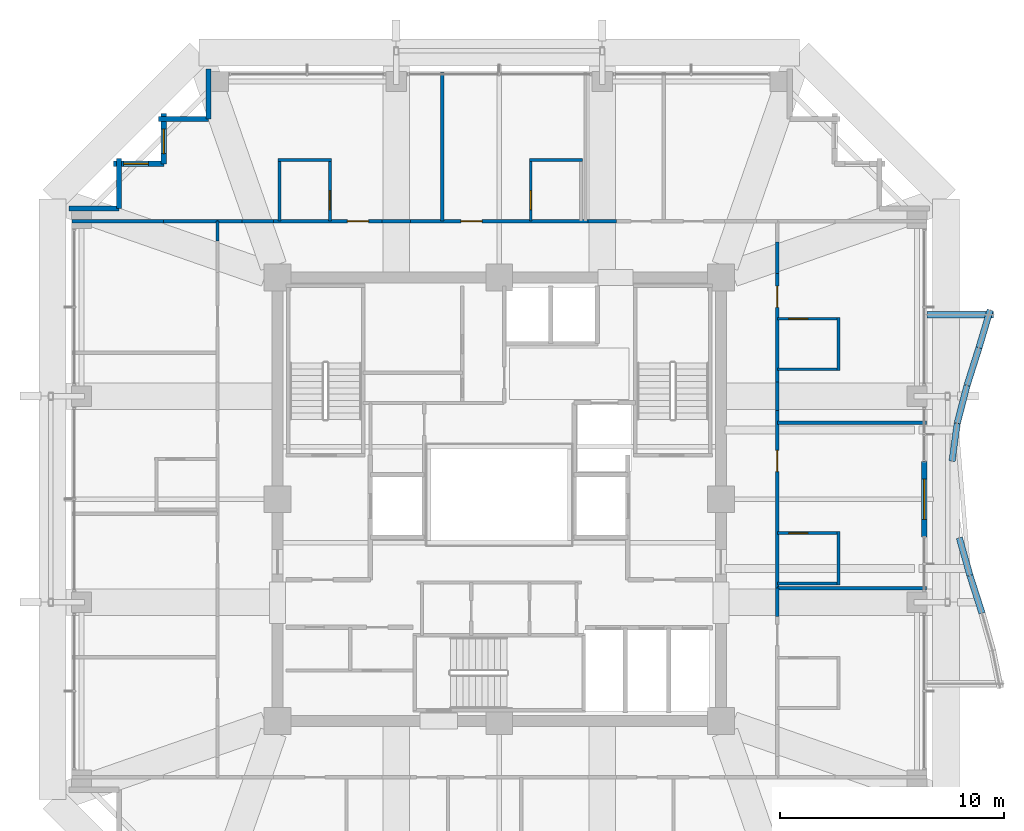
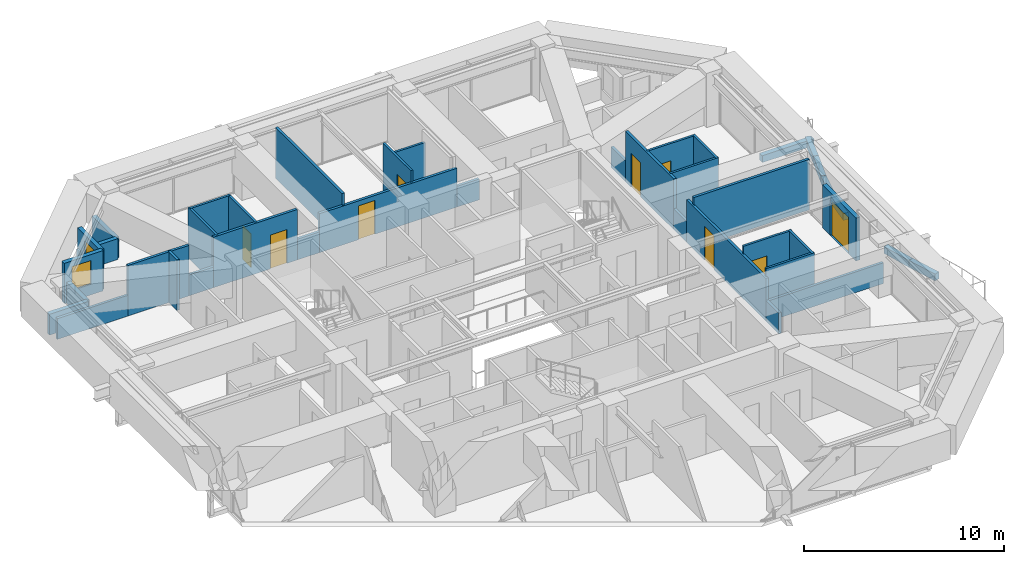
# One storey, part 37 of 40: 42 walls, 9 doors, 2 windows, 11 openings.
"""IFC4 building model written with IfcOpenShell, lengths in metres."""

from ifc_helpers import new_model, si_unit, direction, frame, frame_2d, origin, place, context, subcontext, project, spatial, rectangle, extrude, material, layer, layer_set, type_object, element, fill, save


model = new_model("IFC4")

# Units and contexts
model_context = context("Model", 3, precision=1e-05, world=origin(), true_north=direction((0.0, 1.0)))
body_context = subcontext(model_context, "Body", "Model", "MODEL_VIEW")
ifc_project = project(units=[si_unit("LENGTHUNIT", "METRE"), si_unit("AREAUNIT", "SQUARE_METRE"), si_unit("VOLUMEUNIT", "CUBIC_METRE"), si_unit("PLANEANGLEUNIT", "RADIAN"), si_unit("MASSUNIT", "GRAM", prefix="KILO")], contexts=[model_context])

# Site, building, storey
site_placement = place(None, origin())
site = spatial("IfcSite", under=ifc_project, at=site_placement, CompositionType="ELEMENT")
building_placement = place(site_placement, origin())
building = spatial("IfcBuilding", under=site, at=building_placement, Name="Kolvaren Belvedere", CompositionType="ELEMENT")
storey_placement = place(building_placement, frame((0.0, 0.0, 170.10009765625)))
storey = spatial("IfcBuildingStorey", under=building, at=storey_placement, Name="L49", CompositionType="ELEMENT", Elevation=170.10009765625)

# Walls
ifc_material_1 = material(Name="Gypsum fire-rated partition assembly", Category="gypsum")
ifc_layer_1 = layer(ifc_material_1, 0.14990234375)
ifc_layer_set_1 = layer_set([ifc_layer_1], Name="Gypsum fire-rated partition assembly")
wall_type_1 = type_object("IfcWallType", Name="WL-CORR-150", PredefinedType="PARTITIONING", material=ifc_layer_set_1)
wall_1_placement = place(storey_placement, frame((-12.580078125, 12.419921875, 0.0), z_axis=(0.0, 0.0, 1.0), x_axis=(1.0, 0.0, 0.0)))
element("IfcWall", 1, at=wall_1_placement, inside=storey, type_object=wall_type_1, Name="L49 North Corridor Wall", PredefinedType="PARTITIONING", context=body_context, shape_type="SweptSolid", body=[
    extrude(rectangle(XDim=1.093994140625, YDim=0.14990234375, at=frame_2d((0.546875, 0.0))), origin(), (0.0, 0.0, 1.0), 3.079833984375),
])
wall_2_placement = place(storey_placement, frame((-11.486083984375, 12.419921875, 0.0), z_axis=(0.0, 0.0, 1.0), x_axis=(1.0, 0.0, 0.0)))
element("IfcWall", 2, at=wall_2_placement, inside=storey, type_object=wall_type_1, Name="L49 North Corridor Wall", PredefinedType="PARTITIONING", context=body_context, shape_type="SweptSolid", body=[
    extrude(rectangle(XDim=1.416748046875, YDim=0.14990234375, at=frame_2d((0.70849609375, 0.0))), origin(), (0.0, 0.0, 1.0), 1.264892578125),
])

# Wall, opening, door
wall_3_placement = place(storey_placement, frame((-10.0693359375, 12.419921875, 0.0), z_axis=(0.0, 0.0, 1.0), x_axis=(1.0, 0.0, 0.0)))
wall_3 = element("IfcWall", 3, at=wall_3_placement, inside=storey, type_object=wall_type_1, Name="L49 North Corridor Wall", PredefinedType="PARTITIONING", context=body_context, shape_type="SweptSolid", body=[
    extrude(rectangle(XDim=4.827392578125, YDim=0.14990234375, at=frame_2d((2.41357421875, 0.0))), origin(), (0.0, 0.0, 1.0), 3.079833984375),
])
opening_1_placement = place(wall_3_placement, frame((3.289306640625, 0.0, 0.0)))
opening_1 = element("IfcOpeningElement", 4, at=opening_1_placement, cuts=wall_3, Name="Opening D-FD60", PredefinedType="OPENING", context=body_context, shape_type="SweptSolid", body=[
    extrude(rectangle(XDim=0.949951171875, YDim=2.06005859375, at=frame_2d((0.47509765625, 1.030029296875))), frame((0.0, 0.0849609375, 0.0), z_axis=(0.0, -1.0, 0.0), x_axis=(1.0, 0.0, 0.0)), (0.0, 0.0, 1.0), 0.169921875),
])
ifc_material_2 = material(Name="Acoustic white-oak fire door leaf", Category="timber")
door_type_1 = type_object("IfcDoorType", Name="DR-FD60-950", OperationType="NOTDEFINED", PredefinedType="DOOR", material=ifc_material_2)
door_1_placement = place(opening_1_placement, origin())
door_1 = element("IfcDoor", 5, at=door_1_placement, inside=storey, type_object=door_type_1, Name="L49 King Guest Room 4911 Entry Door", OperationType="SINGLE_SWING_RIGHT", OverallHeight=2.06005859375, OverallWidth=0.949951171875, PredefinedType="DOOR", context=body_context, shape_type="SweptSolid", body=[
    extrude(rectangle(XDim=0.949951171875, YDim=2.06005859375, at=frame_2d((0.47509765625, 1.030029296875))), frame((0.0, 0.02490234375, 0.0), z_axis=(0.0, -1.0, 0.0), x_axis=(1.0, 0.0, 0.0)), (0.0, 0.0, 1.0), 0.050048828125),
])
fill(opening_1, door_1)

# Wall
wall_4_placement = place(storey_placement, frame((-5.241943359375, 12.419921875, 0.0), z_axis=(0.0, 0.0, 1.0), x_axis=(1.0, 0.0, 0.0)))
element("IfcWall", 6, at=wall_4_placement, inside=storey, type_object=wall_type_1, Name="L49 North Corridor Wall", PredefinedType="PARTITIONING", context=body_context, shape_type="SweptSolid", body=[
    extrude(rectangle(XDim=1.283935546875, YDim=0.14990234375, at=frame_2d((0.64208984375, 0.0))), origin(), (0.0, 0.0, 1.0), 1.264892578125),
])

# Wall, opening, door
wall_5_placement = place(storey_placement, frame((-3.9580078125, 12.419921875, 0.0), z_axis=(0.0, 0.0, 1.0), x_axis=(1.0, 0.0, 0.0)))
wall_5 = element("IfcWall", 7, at=wall_5_placement, inside=storey, type_object=wall_type_1, Name="L49 North Corridor Wall", PredefinedType="PARTITIONING", context=body_context, shape_type="SweptSolid", body=[
    extrude(rectangle(XDim=7.916015625, YDim=0.14990234375, at=frame_2d((3.9580078125, 0.0))), origin(), (0.0, 0.0, 1.0), 2.368896484375),
])
opening_2_placement = place(wall_5_placement, frame((2.2412109375, 0.0, 0.0)))
opening_2 = element("IfcOpeningElement", 8, at=opening_2_placement, cuts=wall_5, Name="Opening D-FD60", PredefinedType="OPENING", context=body_context, shape_type="SweptSolid", body=[
    extrude(rectangle(XDim=0.949951171875, YDim=2.06005859375, at=frame_2d((0.47509765625, 1.030029296875))), frame((0.0, 0.0849609375, 0.0), z_axis=(0.0, -1.0, 0.0), x_axis=(1.0, 0.0, 0.0)), (0.0, 0.0, 1.0), 0.169921875),
])
door_2_placement = place(opening_2_placement, origin())
door_2 = element("IfcDoor", 9, at=door_2_placement, inside=storey, type_object=door_type_1, Name="L49 Botanical Hospitality Suite 4912 Entry Door", OperationType="SINGLE_SWING_RIGHT", OverallHeight=2.06005859375, OverallWidth=0.949951171875, PredefinedType="DOOR", context=body_context, shape_type="SweptSolid", body=[
    extrude(rectangle(XDim=0.949951171875, YDim=2.06005859375, at=frame_2d((0.47509765625, 1.030029296875))), frame((0.0, 0.02490234375, 0.0), z_axis=(0.0, -1.0, 0.0), x_axis=(1.0, 0.0, 0.0)), (0.0, 0.0, 1.0), 0.050048828125),
])
fill(opening_2, door_2)

# Walls
wall_6_placement = place(storey_placement, frame((3.9580078125, 12.419921875, 0.0), z_axis=(0.0, 0.0, 1.0), x_axis=(1.0, 0.0, 0.0)))
element("IfcWall", 10, at=wall_6_placement, inside=storey, type_object=wall_type_1, Name="L49 North Corridor Wall", PredefinedType="PARTITIONING", context=body_context, shape_type="SweptSolid", body=[
    extrude(rectangle(XDim=1.283935546875, YDim=0.14990234375, at=frame_2d((0.64208984375, 0.0))), origin(), (0.0, 0.0, 1.0), 1.264892578125),
])
wall_7_placement = place(storey_placement, frame((-12.580078125, 11.541748046875, 0.0), z_axis=(0.0, 0.0, 1.0), x_axis=(0.0, 1.0, 0.0)))
element("IfcWall", 11, at=wall_7_placement, inside=storey, type_object=wall_type_1, Name="L49 West Corridor Wall", PredefinedType="PARTITIONING", context=body_context, shape_type="SweptSolid", body=[
    extrude(rectangle(XDim=0.878173828125, YDim=0.14990234375, at=frame_2d((0.43896484375, 0.0))), origin(), (0.0, 0.0, 1.0), 3.079833984375),
])
wall_8_placement = place(storey_placement, frame((12.419921875, -5.241943359375, 0.0), z_axis=(0.0, 0.0, 1.0), x_axis=(0.0, 1.0, 0.0)))
element("IfcWall", 12, at=wall_8_placement, inside=storey, type_object=wall_type_1, Name="L49 East Corridor Wall", PredefinedType="PARTITIONING", context=body_context, shape_type="SweptSolid", body=[
    extrude(rectangle(XDim=1.283935546875, YDim=0.14990234375, at=frame_2d((0.64208984375, 0.0))), origin(), (0.0, 0.0, 1.0), 1.264892578125),
])

# Wall, opening, door
wall_9_placement = place(storey_placement, frame((12.419921875, -3.9580078125, 0.0), z_axis=(0.0, 0.0, 1.0), x_axis=(0.0, 1.0, 0.0)))
wall_9 = element("IfcWall", 13, at=wall_9_placement, inside=storey, type_object=wall_type_1, Name="L49 East Corridor Wall", PredefinedType="PARTITIONING", context=body_context, shape_type="SweptSolid", body=[
    extrude(rectangle(XDim=7.916015625, YDim=0.14990234375, at=frame_2d((3.9580078125, 0.0))), origin(), (0.0, 0.0, 1.0), 2.60498046875),
])
opening_3_placement = place(wall_9_placement, frame((5.19482421875, 0.0, 0.0)))
opening_3 = element("IfcOpeningElement", 14, at=opening_3_placement, cuts=wall_9, Name="Opening D-FD60", PredefinedType="OPENING", context=body_context, shape_type="SweptSolid", body=[
    extrude(rectangle(XDim=0.949951171875, YDim=2.06005859375, at=frame_2d((0.47509765625, 1.030029296875))), frame((0.0, 0.0849609375, 0.0), z_axis=(0.0, -1.0, 0.0), x_axis=(1.0, 0.0, 0.0)), (0.0, 0.0, 1.0), 0.169921875),
])
door_3_placement = place(opening_3_placement, origin())
door_3 = element("IfcDoor", 15, at=door_3_placement, inside=storey, type_object=door_type_1, Name="L49 King Guest Room 4905 Entry Door", OperationType="SINGLE_SWING_LEFT", OverallHeight=2.06005859375, OverallWidth=0.949951171875, PredefinedType="DOOR", context=body_context, shape_type="SweptSolid", body=[
    extrude(rectangle(XDim=0.949951171875, YDim=2.06005859375, at=frame_2d((0.47509765625, 1.030029296875))), frame((0.0, 0.02490234375, 0.0), z_axis=(0.0, -1.0, 0.0), x_axis=(1.0, 0.0, 0.0)), (0.0, 0.0, 1.0), 0.050048828125),
])
fill(opening_3, door_3)

# Wall
wall_10_placement = place(storey_placement, frame((12.419921875, 3.9580078125, 0.0), z_axis=(0.0, 0.0, 1.0), x_axis=(0.0, 1.0, 0.0)))
element("IfcWall", 16, at=wall_10_placement, inside=storey, type_object=wall_type_1, Name="L49 East Corridor Wall", PredefinedType="PARTITIONING", context=body_context, shape_type="SweptSolid", body=[
    extrude(rectangle(XDim=1.283935546875, YDim=0.14990234375, at=frame_2d((0.64208984375, 0.0))), origin(), (0.0, 0.0, 1.0), 1.264892578125),
])

# Wall, opening, door
wall_11_placement = place(storey_placement, frame((12.419921875, 5.241943359375, 0.0), z_axis=(0.0, 0.0, 1.0), x_axis=(0.0, 1.0, 0.0)))
wall_11 = element("IfcWall", 17, at=wall_11_placement, inside=storey, type_object=wall_type_1, Name="L49 East Corridor Wall", PredefinedType="PARTITIONING", context=body_context, shape_type="SweptSolid", body=[
    extrude(rectangle(XDim=4.827392578125, YDim=0.14990234375, at=frame_2d((2.41357421875, 0.0))), origin(), (0.0, 0.0, 1.0), 3.079833984375),
])
opening_4_placement = place(wall_11_placement, frame((3.320556640625, 0.0, 0.0)))
opening_4 = element("IfcOpeningElement", 18, at=opening_4_placement, cuts=wall_11, Name="Opening D-FD60", PredefinedType="OPENING", context=body_context, shape_type="SweptSolid", body=[
    extrude(rectangle(XDim=0.949951171875, YDim=2.06005859375, at=frame_2d((0.47509765625, 1.030029296875))), frame((0.0, 0.0849609375, 0.0), z_axis=(0.0, -1.0, 0.0), x_axis=(1.0, 0.0, 0.0)), (0.0, 0.0, 1.0), 0.169921875),
])
door_4_placement = place(opening_4_placement, origin())
door_4 = element("IfcDoor", 19, at=door_4_placement, inside=storey, type_object=door_type_1, Name="L49 Botanical Hospitality Suite 4906 Entry Door", OperationType="SINGLE_SWING_LEFT", OverallHeight=2.06005859375, OverallWidth=0.949951171875, PredefinedType="DOOR", context=body_context, shape_type="SweptSolid", body=[
    extrude(rectangle(XDim=0.949951171875, YDim=2.06005859375, at=frame_2d((0.47509765625, 1.030029296875))), frame((0.0, 0.02490234375, 0.0), z_axis=(0.0, -1.0, 0.0), x_axis=(1.0, 0.0, 0.0)), (0.0, 0.0, 1.0), 0.050048828125),
])
fill(opening_4, door_4)

# Wall
wall_12_placement = place(storey_placement, frame((12.419921875, 10.0693359375, 0.0), z_axis=(0.0, 0.0, 1.0), x_axis=(0.0, 1.0, 0.0)))
element("IfcWall", 20, at=wall_12_placement, inside=storey, type_object=wall_type_1, Name="L49 East Corridor Wall", PredefinedType="PARTITIONING", context=body_context, shape_type="SweptSolid", body=[
    extrude(rectangle(XDim=1.416748046875, YDim=0.14990234375, at=frame_2d((0.70849609375, 0.0))), origin(), (0.0, 0.0, 1.0), 1.264892578125),
])

# Wall, opening, door
ifc_material_3 = material(Name="Insulated pale-metal facade wall assembly", Category="aluminium")
ifc_layer_2 = layer(ifc_material_3, 0.239990234375)
ifc_layer_set_2 = layer_set([ifc_layer_2], Name="Insulated pale-metal facade wall assembly")
wall_type_2 = type_object("IfcWallType", Name="WL-EXT-240", PredefinedType="STANDARD", material=ifc_layer_set_2)
wall_13_placement = place(storey_placement, frame((18.97998046875, 1.679931640625, 0.0), z_axis=(0.0, 0.0, 1.0), x_axis=(0.0, -1.0, 0.0)))
wall_13 = element("IfcWall", 21, at=wall_13_placement, inside=storey, type_object=wall_type_2, Name="L49 East Terrace Portal Wall", PredefinedType="STANDARD", context=body_context, shape_type="SweptSolid", body=[
    extrude(rectangle(XDim=3.35986328125, YDim=0.239990234375, at=frame_2d((1.679931640625, 0.0))), origin(), (0.0, 0.0, 1.0), 2.614990234375),
])
opening_5_placement = place(wall_13_placement, frame((0.780029296875, 0.0, 0.0)))
opening_5 = element("IfcOpeningElement", 22, at=opening_5_placement, cuts=wall_13, Name="Opening DB-1800", PredefinedType="OPENING", context=body_context, shape_type="SweptSolid", body=[
    extrude(rectangle(XDim=1.800048828125, YDim=2.199951171875, at=frame_2d((0.89990234375, 1.10009765625))), frame((0.0, 0.1298828125, 0.0), z_axis=(0.0, -1.0, 0.0), x_axis=(1.0, 0.0, 0.0)), (0.0, 0.0, 1.0), 0.260009765625),
])
ifc_material_4 = material(Name="Thermally broken pale-metal aluminium & low-iron glass", Category="aluminium")
door_type_2 = type_object("IfcDoorType", Name="DR-BAL-1800", OperationType="DOUBLE_DOOR_SLIDING", PredefinedType="DOOR", material=ifc_material_4)
door_5_placement = place(opening_5_placement, origin())
door_5 = element("IfcDoor", 23, at=door_5_placement, inside=storey, type_object=door_type_2, Name="L49 East Planted Terrace Sliding Door", OperationType="DOUBLE_DOOR_SLIDING", OverallHeight=2.199951171875, OverallWidth=1.800048828125, PredefinedType="DOOR", context=body_context, shape_type="SweptSolid", body=[
    extrude(rectangle(XDim=1.800048828125, YDim=2.199951171875, at=frame_2d((0.89990234375, 1.10009765625))), frame((0.0, 0.02490234375, 0.0), z_axis=(0.0, -1.0, 0.0), x_axis=(1.0, 0.0, 0.0)), (0.0, 0.0, 1.0), 0.050048828125),
])
fill(opening_5, door_5)

# Walls
for number, where, z_axis, x_axis, name in (
    (24, (-12.97998046875, 16.97998046875, 0.0), (0.0, 0.0, 1.0), (0.0, 1.0, 0.0), "L49 Serrated Corner Facade Wall 16"),
    (25, (-15.219970703125, 16.97998046875, 0.0), (0.0, 0.0, 1.0), (1.0, 0.0, 0.0), "L49 Serrated Corner Facade Wall 17"),
):
    element("IfcWall", number, at=place(storey_placement, frame(where, z_axis=z_axis, x_axis=x_axis)), inside=storey, type_object=wall_type_2, Name=name, PredefinedType="STANDARD", context=body_context, shape_type="SweptSolid", body=[
        extrude(rectangle(XDim=2.239990234375, YDim=0.239990234375, at=frame_2d((1.1201171875, 0.0))), origin(), (0.0, 0.0, 1.0), 1.27490234375),
    ])

# Wall, opening, window
wall_14_placement = place(storey_placement, frame((-14.97998046875, 14.97998046875, 0.0), z_axis=(0.0, 0.0, 1.0), x_axis=(0.0, 1.0, 0.0)))
wall_14 = element("IfcWall", 26, at=wall_14_placement, inside=storey, type_object=wall_type_2, Name="L49 Serrated Corner Facade Wall 18", PredefinedType="STANDARD", context=body_context, shape_type="SweptSolid", body=[
    extrude(rectangle(XDim=2.239990234375, YDim=0.239990234375, at=frame_2d((1.1201171875, 0.0))), origin(), (0.0, 0.0, 1.0), 2.462890625),
])
opening_6_placement = place(wall_14_placement, frame((0.449951171875, 0.0, 0.64990234375)))
opening_6 = element("IfcOpeningElement", 27, at=opening_6_placement, cuts=wall_14, Name="Opening W-1100", PredefinedType="OPENING", context=body_context, shape_type="SweptSolid", body=[
    extrude(rectangle(XDim=1.10009765625, YDim=1.449951171875, at=frame_2d((0.550048828125, 0.72509765625))), frame((0.0, 0.1298828125, 0.0), z_axis=(0.0, -1.0, 0.0), x_axis=(1.0, 0.0, 0.0)), (0.0, 0.0, 1.0), 0.260009765625),
])
ifc_material_5 = material(Name="Low-iron triple insulated glass", Category="glass")
window_type = type_object("IfcWindowType", Name="WN-CORN-1100", PartitioningType="SINGLE_PANEL", PredefinedType="WINDOW", material=ifc_material_5)
window_1_placement = place(opening_6_placement, origin())
window_1 = element("IfcWindow", 28, at=window_1_placement, inside=storey, type_object=window_type, Name="L49 Serrated Corner Vision Window 18", OverallHeight=1.449951171875, OverallWidth=1.10009765625, PartitioningType="SINGLE_PANEL", PredefinedType="WINDOW", context=body_context, shape_type="SweptSolid", body=[
    extrude(rectangle(XDim=1.10009765625, YDim=1.449951171875, at=frame_2d((0.550048828125, 0.72509765625))), frame((0.0, 0.030029296875, 0.0), z_axis=(0.0, -1.0, 0.0), x_axis=(1.0, 0.0, 0.0)), (0.0, 0.0, 1.0), 0.06005859375),
])
fill(opening_6, window_1)

wall_15_placement = place(storey_placement, frame((-17.219970703125, 14.97998046875, 0.0), z_axis=(0.0, 0.0, 1.0), x_axis=(1.0, 0.0, 0.0)))
wall_15 = element("IfcWall", 29, at=wall_15_placement, inside=storey, type_object=wall_type_2, Name="L49 Serrated Corner Facade Wall 19", PredefinedType="STANDARD", context=body_context, shape_type="SweptSolid", body=[
    extrude(rectangle(XDim=2.239990234375, YDim=0.239990234375, at=frame_2d((1.1201171875, 0.0))), origin(), (0.0, 0.0, 1.0), 2.462890625),
])
opening_7_placement = place(wall_15_placement, frame((0.449951171875, 0.0, 0.64990234375)))
opening_7 = element("IfcOpeningElement", 30, at=opening_7_placement, cuts=wall_15, Name="Opening W-1100", PredefinedType="OPENING", context=body_context, shape_type="SweptSolid", body=[
    extrude(rectangle(XDim=1.10009765625, YDim=1.449951171875, at=frame_2d((0.550048828125, 0.72509765625))), frame((0.0, 0.1298828125, 0.0), z_axis=(0.0, -1.0, 0.0), x_axis=(1.0, 0.0, 0.0)), (0.0, 0.0, 1.0), 0.260009765625),
])
window_2_placement = place(opening_7_placement, origin())
window_2 = element("IfcWindow", 31, at=window_2_placement, inside=storey, type_object=window_type, Name="L49 Serrated Corner Vision Window 19", OverallHeight=1.449951171875, OverallWidth=1.10009765625, PartitioningType="SINGLE_PANEL", PredefinedType="WINDOW", context=body_context, shape_type="SweptSolid", body=[
    extrude(rectangle(XDim=1.10009765625, YDim=1.449951171875, at=frame_2d((0.550048828125, 0.72509765625))), frame((0.0, 0.030029296875, 0.0), z_axis=(0.0, -1.0, 0.0), x_axis=(1.0, 0.0, 0.0)), (0.0, 0.0, 1.0), 0.06005859375),
])
fill(opening_7, window_2)

# Walls
for number, where, z_axis, x_axis, name in (
    (32, (-16.97998046875, 12.97998046875, 0.0), (0.0, 0.0, 1.0), (0.0, 1.0, 0.0), "L49 Serrated Corner Facade Wall 20"),
    (33, (-19.219970703125, 12.97998046875, 0.0), (0.0, 0.0, 1.0), (1.0, 0.0, 0.0), "L49 Serrated Corner Facade Wall 21"),
):
    element("IfcWall", number, at=place(storey_placement, frame(where, z_axis=z_axis, x_axis=x_axis)), inside=storey, type_object=wall_type_2, Name=name, PredefinedType="STANDARD", context=body_context, shape_type="SweptSolid", body=[
        extrude(rectangle(XDim=2.239990234375, YDim=0.239990234375, at=frame_2d((1.1201171875, 0.0))), origin(), (0.0, 0.0, 1.0), 1.27490234375),
    ])
ifc_material_6 = material(Name="Gypsum acoustic partition assembly", Category="gypsum")
ifc_layer_3 = layer(ifc_material_6, 0.14990234375)
ifc_layer_set_3 = layer_set([ifc_layer_3], Name="Gypsum acoustic partition assembly")
wall_type_3 = type_object("IfcWallType", Name="WL-PART-150", PredefinedType="PARTITIONING", material=ifc_layer_set_3)
wall_16_placement = place(storey_placement, frame((-19.080078125, 12.419921875, 0.0), z_axis=(0.0, 0.0, 1.0), x_axis=(1.0, 0.0, 0.0)))
element("IfcWall", 34, at=wall_16_placement, inside=storey, type_object=wall_type_3, Name="L49 Wing Divider PW-L49-QNW", PredefinedType="PARTITIONING", context=body_context, shape_type="SweptSolid", body=[
    extrude(rectangle(XDim=4.084716796875, YDim=0.14990234375, at=frame_2d((2.04248046875, 0.0))), origin(), (0.0, 0.0, 1.0), 1.264892578125),
])
wall_17_placement = place(storey_placement, frame((-14.995361328125, 12.419921875, 0.0), z_axis=(0.0, 0.0, 1.0), x_axis=(1.0, 0.0, 0.0)))
element("IfcWall", 35, at=wall_17_placement, inside=storey, type_object=wall_type_3, Name="L49 Wing Divider PW-L49-QNW", PredefinedType="PARTITIONING", context=body_context, shape_type="SweptSolid", body=[
    extrude(rectangle(XDim=2.415283203125, YDim=0.14990234375, at=frame_2d((1.20751953125, 0.0))), origin(), (0.0, 0.0, 1.0), 3.079833984375),
])
wall_18_placement = place(storey_placement, frame((12.419921875, -3.97998046875, 0.0), z_axis=(0.0, 0.0, 1.0), x_axis=(1.0, 0.0, 0.0)))
element("IfcWall", 36, at=wall_18_placement, inside=storey, type_object=wall_type_3, Name="L49 East Suite Demising Wall 1", PredefinedType="PARTITIONING", context=body_context, shape_type="SweptSolid", body=[
    extrude(rectangle(XDim=6.66015625, YDim=0.14990234375, at=frame_2d((3.330078125, 0.0))), origin(), (0.0, 0.0, 1.0), 1.264892578125),
])
for number, where, z_axis, x_axis, name in (
    (37, (12.419921875, 3.419921875, 0.0), (0.0, 0.0, 1.0), (1.0, 0.0, 0.0), "L49 East Suite Demising Wall 2"),
    (38, (-2.548095703125, 12.419921875, 0.0), (0.0, 0.0, 1.0), (0.0, 1.0, 0.0), "L49 North Suite Demising Wall 1"),
):
    element("IfcWall", number, at=place(storey_placement, frame(where, z_axis=z_axis, x_axis=x_axis)), inside=storey, type_object=wall_type_3, Name=name, PredefinedType="PARTITIONING", context=body_context, shape_type="SweptSolid", body=[
        extrude(rectangle(XDim=6.66015625, YDim=0.14990234375, at=frame_2d((3.330078125, 0.0))), origin(), (0.0, 0.0, 1.0), 3.079833984375),
    ])
ifc_material_7 = material(Name="Precast concrete C40/50", Category="concrete")
ifc_layer_4 = layer(ifc_material_7, 0.300048828125)
ifc_layer_set_4 = layer_set([ifc_layer_4], Name="Precast concrete C40/50")
wall_type_4 = type_object("IfcWallType", Name="WL-PLANTER-300", PredefinedType="PARAPET", material=ifc_layer_set_4)
wall_19_placement = place(storey_placement, frame((21.55615234375, -5.088623046875, -0.02001953125), z_axis=(0.0, 0.0, 1.0), x_axis=(-0.304534629099, 0.952501264923, 0.0)))
element("IfcWall", 39, at=wall_19_placement, inside=storey, type_object=wall_type_4, Name="L49 Precast Structural Planter Wall BAL-E-3", PredefinedType="PARAPET", context=body_context, shape_type="SweptSolid", body=[
    extrude(rectangle(XDim=1.763671875, YDim=0.280029296875, at=frame_2d((0.8818359375, 0.0))), origin(), (0.0, 0.0, 1.0), 0.419921875),
])
wall_20_placement = place(storey_placement, frame((21.017333984375, -3.4033203125, -0.02001953125), z_axis=(0.0, 0.0, 1.0), x_axis=(-0.269764860108, 0.962926227834, 0.0)))
element("IfcWall", 40, at=wall_20_placement, inside=storey, type_object=wall_type_4, Name="L49 Precast Structural Planter Wall BAL-E-4", PredefinedType="PARAPET", context=body_context, shape_type="SweptSolid", body=[
    extrude(rectangle(XDim=1.744873046875, YDim=0.280029296875, at=frame_2d((0.87255859375, 0.0))), origin(), (0.0, 0.0, 1.0), 0.419921875),
])
wall_21_placement = place(storey_placement, frame((20.220703125, 1.70166015625, -0.02001953125), z_axis=(0.0, 0.0, 1.0), x_axis=(0.134785469631, 0.990874803987, 0.0)))
element("IfcWall", 41, at=wall_21_placement, inside=storey, type_object=wall_type_4, Name="L49 Precast Structural Planter Wall BAL-E-7", PredefinedType="PARAPET", context=body_context, shape_type="SweptSolid", body=[
    extrude(rectangle(XDim=1.6953125, YDim=0.280029296875, at=frame_2d((0.84765625, 0.0))), origin(), (0.0, 0.0, 1.0), 0.419921875),
])
wall_22_placement = place(storey_placement, frame((20.452880859375, 3.400146484375, -0.02001953125), z_axis=(0.0, 0.0, 1.0), x_axis=(0.250439664624, 0.968132209145, 0.0)))
element("IfcWall", 42, at=wall_22_placement, inside=storey, type_object=wall_type_4, Name="L49 Precast Structural Planter Wall BAL-E-8", PredefinedType="PARAPET", context=body_context, shape_type="SweptSolid", body=[
    extrude(rectangle(XDim=1.7353515625, YDim=0.280029296875, at=frame_2d((0.86767578125, 0.0))), origin(), (0.0, 0.0, 1.0), 0.419921875),
])
wall_23_placement = place(storey_placement, frame((20.889892578125, 5.08837890625, -0.02001953125), z_axis=(0.0, 0.0, 1.0), x_axis=(0.302397356111, 0.953181954832, 0.0)))
element("IfcWall", 43, at=wall_23_placement, inside=storey, type_object=wall_type_4, Name="L49 Precast Structural Planter Wall BAL-E-9", PredefinedType="PARAPET", context=body_context, shape_type="SweptSolid", body=[
    extrude(rectangle(XDim=1.762451171875, YDim=0.280029296875, at=frame_2d((0.88134765625, 0.0))), origin(), (0.0, 0.0, 1.0), 0.419921875),
])
wall_24_placement = place(storey_placement, frame((21.422119140625, 6.765625, -0.02001953125), z_axis=(0.0, 0.0, 1.0), x_axis=(0.284880325779, 0.95856309129, 0.0)))
element("IfcWall", 44, at=wall_24_placement, inside=storey, type_object=wall_type_4, Name="L49 Precast Structural Planter Wall BAL-E-10", PredefinedType="PARAPET", context=body_context, shape_type="SweptSolid", body=[
    extrude(rectangle(XDim=1.75244140625, YDim=0.280029296875, at=frame_2d((0.876220703125, 0.0))), origin(), (0.0, 0.0, 1.0), 0.419921875),
])
wall_25_placement = place(storey_placement, frame((22.07470703125, 8.239990234375, -0.02001953125), z_axis=(0.0, 0.0, 1.0), x_axis=(-1.0, 0.0, 0.0)))
element("IfcWall", 45, at=wall_25_placement, inside=storey, type_object=wall_type_4, Name="L49 Precast Structural Planter Wall BAL-E-11", PredefinedType="PARAPET", context=body_context, shape_type="SweptSolid", body=[
    extrude(rectangle(XDim=2.974609375, YDim=0.280029296875, at=frame_2d((1.4873046875, 0.0))), origin(), (0.0, 0.0, 1.0), 0.419921875),
])

# Wall, opening, door
ifc_material_8 = material(Name="Moisture-resistant gypsum partition", Category="gypsum")
ifc_layer_5 = layer(ifc_material_8, 0.125)
ifc_layer_set_5 = layer_set([ifc_layer_5], Name="Moisture-resistant gypsum partition")
wall_type_5 = type_object("IfcWallType", Name="WL-WET-125", PredefinedType="PARTITIONING", material=ifc_layer_set_5)
wall_26_placement = place(storey_placement, frame((12.43505859375, -1.510986328125, 0.0), z_axis=(0.0, 0.0, 1.0), x_axis=(1.0, 0.0, 0.0)))
wall_26 = element("IfcWall", 46, at=wall_26_placement, inside=storey, type_object=wall_type_5, Name="L49 Bathroom Partition PW-L49-BTH-5-N", PredefinedType="PARTITIONING", context=body_context, shape_type="SweptSolid", body=[
    extrude(rectangle(XDim=2.7900390625, YDim=0.125, at=frame_2d((1.39501953125, 0.0))), origin(), (0.0, 0.0, 1.0), 3.079833984375),
])
opening_8_placement = place(wall_26_placement, frame((0.5, 0.0, 0.0)))
opening_8 = element("IfcOpeningElement", 47, at=opening_8_placement, cuts=wall_26, Name="Opening D-BTH85", PredefinedType="OPENING", context=body_context, shape_type="SweptSolid", body=[
    extrude(rectangle(XDim=0.85009765625, YDim=2.030029296875, at=frame_2d((0.425048828125, 1.01513671875))), frame((0.0, 0.072509765625, 0.0), z_axis=(0.0, -1.0, 0.0), x_axis=(1.0, 0.0, 0.0)), (0.0, 0.0, 1.0), 0.14501953125),
])
ifc_material_9 = material(Name="Moisture-sealed Pacific white oak", Category="timber")
door_type_3 = type_object("IfcDoorType", Name="DR-BATH-850", OperationType="NOTDEFINED", PredefinedType="DOOR", material=ifc_material_9)
door_6_placement = place(opening_8_placement, origin())
door_6 = element("IfcDoor", 48, at=door_6_placement, inside=storey, type_object=door_type_3, Name="L49 En-Suite Bathroom 4905 Door", OperationType="SINGLE_SWING_RIGHT", OverallHeight=2.030029296875, OverallWidth=0.85009765625, PredefinedType="DOOR", context=body_context, shape_type="SweptSolid", body=[
    extrude(rectangle(XDim=0.85009765625, YDim=2.030029296875, at=frame_2d((0.425048828125, 1.01513671875))), frame((0.0, 0.02490234375, 0.0), z_axis=(0.0, -1.0, 0.0), x_axis=(1.0, 0.0, 0.0)), (0.0, 0.0, 1.0), 0.050048828125),
])
fill(opening_8, door_6)

# Walls
wall_27_placement = place(storey_placement, frame((15.14501953125, -3.821044921875, 0.0), z_axis=(0.0, 0.0, 1.0), x_axis=(0.0, 1.0, 0.0)))
element("IfcWall", 49, at=wall_27_placement, inside=storey, type_object=wall_type_5, Name="L49 Bathroom Partition PW-L49-BTH-5-V", PredefinedType="PARTITIONING", context=body_context, shape_type="SweptSolid", body=[
    extrude(rectangle(XDim=2.3701171875, YDim=0.125, at=frame_2d((1.18505859375, 0.0))), origin(), (0.0, 0.0, 1.0), 3.079833984375),
])
wall_28_placement = place(storey_placement, frame((12.43505859375, -3.760986328125, 0.0), z_axis=(0.0, 0.0, 1.0), x_axis=(1.0, 0.0, 0.0)))
element("IfcWall", 50, at=wall_28_placement, inside=storey, type_object=wall_type_5, Name="L49 Bathroom Partition PW-L49-BTH-5-S", PredefinedType="PARTITIONING", context=body_context, shape_type="SweptSolid", body=[
    extrude(rectangle(XDim=2.7900390625, YDim=0.125, at=frame_2d((1.39501953125, 0.0))), origin(), (0.0, 0.0, 1.0), 3.079833984375),
])

# Wall, opening, door
wall_29_placement = place(storey_placement, frame((12.43505859375, 8.054931640625, 0.0), z_axis=(0.0, 0.0, 1.0), x_axis=(1.0, 0.0, 0.0)))
wall_29 = element("IfcWall", 51, at=wall_29_placement, inside=storey, type_object=wall_type_5, Name="L49 Bathroom Partition PW-L49-BTH-6-N", PredefinedType="PARTITIONING", context=body_context, shape_type="SweptSolid", body=[
    extrude(rectangle(XDim=2.7900390625, YDim=0.125, at=frame_2d((1.39501953125, 0.0))), origin(), (0.0, 0.0, 1.0), 3.079833984375),
])
opening_9_placement = place(wall_29_placement, frame((0.5, 0.0, 0.0)))
opening_9 = element("IfcOpeningElement", 52, at=opening_9_placement, cuts=wall_29, Name="Opening D-BTH85", PredefinedType="OPENING", context=body_context, shape_type="SweptSolid", body=[
    extrude(rectangle(XDim=0.85009765625, YDim=2.030029296875, at=frame_2d((0.425048828125, 1.01513671875))), frame((0.0, 0.072509765625, 0.0), z_axis=(0.0, -1.0, 0.0), x_axis=(1.0, 0.0, 0.0)), (0.0, 0.0, 1.0), 0.14501953125),
])
door_7_placement = place(opening_9_placement, origin())
door_7 = element("IfcDoor", 53, at=door_7_placement, inside=storey, type_object=door_type_3, Name="L49 En-Suite Bathroom 4906 Door", OperationType="SINGLE_SWING_RIGHT", OverallHeight=2.030029296875, OverallWidth=0.85009765625, PredefinedType="DOOR", context=body_context, shape_type="SweptSolid", body=[
    extrude(rectangle(XDim=0.85009765625, YDim=2.030029296875, at=frame_2d((0.425048828125, 1.01513671875))), frame((0.0, 0.02490234375, 0.0), z_axis=(0.0, -1.0, 0.0), x_axis=(1.0, 0.0, 0.0)), (0.0, 0.0, 1.0), 0.050048828125),
])
fill(opening_9, door_7)

# Walls
wall_30_placement = place(storey_placement, frame((15.14501953125, 5.7451171875, 0.0), z_axis=(0.0, 0.0, 1.0), x_axis=(0.0, 1.0, 0.0)))
element("IfcWall", 54, at=wall_30_placement, inside=storey, type_object=wall_type_5, Name="L49 Bathroom Partition PW-L49-BTH-6-V", PredefinedType="PARTITIONING", context=body_context, shape_type="SweptSolid", body=[
    extrude(rectangle(XDim=2.369873046875, YDim=0.125, at=frame_2d((1.18505859375, 0.0))), origin(), (0.0, 0.0, 1.0), 3.079833984375),
])
wall_31_placement = place(storey_placement, frame((12.43505859375, 5.804931640625, 0.0), z_axis=(0.0, 0.0, 1.0), x_axis=(1.0, 0.0, 0.0)))
element("IfcWall", 55, at=wall_31_placement, inside=storey, type_object=wall_type_5, Name="L49 Bathroom Partition PW-L49-BTH-6-S", PredefinedType="PARTITIONING", context=body_context, shape_type="SweptSolid", body=[
    extrude(rectangle(XDim=2.7900390625, YDim=0.125, at=frame_2d((1.39501953125, 0.0))), origin(), (0.0, 0.0, 1.0), 3.079833984375),
])

# Wall, opening, door
wall_32_placement = place(storey_placement, frame((-7.56005859375, 12.43505859375, 0.0), z_axis=(0.0, 0.0, 1.0), x_axis=(0.0, 1.0, 0.0)))
wall_32 = element("IfcWall", 56, at=wall_32_placement, inside=storey, type_object=wall_type_5, Name="L49 Bathroom Partition PW-L49-BTH-11-E", PredefinedType="PARTITIONING", context=body_context, shape_type="SweptSolid", body=[
    extrude(rectangle(XDim=2.7900390625, YDim=0.125, at=frame_2d((1.39501953125, 0.0))), origin(), (0.0, 0.0, 1.0), 3.079833984375),
])
opening_10_placement = place(wall_32_placement, frame((0.5, 0.0, 0.0)))
opening_10 = element("IfcOpeningElement", 57, at=opening_10_placement, cuts=wall_32, Name="Opening D-BTH85", PredefinedType="OPENING", context=body_context, shape_type="SweptSolid", body=[
    extrude(rectangle(XDim=0.85009765625, YDim=2.030029296875, at=frame_2d((0.425048828125, 1.01513671875))), frame((0.0, 0.072509765625, 0.0), z_axis=(0.0, -1.0, 0.0), x_axis=(1.0, 0.0, 0.0)), (0.0, 0.0, 1.0), 0.14501953125),
])
door_8_placement = place(opening_10_placement, origin())
door_8 = element("IfcDoor", 58, at=door_8_placement, inside=storey, type_object=door_type_3, Name="L49 En-Suite Bathroom 4911 Door", OperationType="SINGLE_SWING_LEFT", OverallHeight=2.030029296875, OverallWidth=0.85009765625, PredefinedType="DOOR", context=body_context, shape_type="SweptSolid", body=[
    extrude(rectangle(XDim=0.85009765625, YDim=2.030029296875, at=frame_2d((0.425048828125, 1.01513671875))), frame((0.0, 0.02490234375, 0.0), z_axis=(0.0, -1.0, 0.0), x_axis=(1.0, 0.0, 0.0)), (0.0, 0.0, 1.0), 0.050048828125),
])
fill(opening_10, door_8)

# Walls
wall_33_placement = place(storey_placement, frame((-9.8701171875, 15.14501953125, 0.0), z_axis=(0.0, 0.0, 1.0), x_axis=(1.0, 0.0, 0.0)))
element("IfcWall", 59, at=wall_33_placement, inside=storey, type_object=wall_type_5, Name="L49 Bathroom Partition PW-L49-BTH-11-H", PredefinedType="PARTITIONING", context=body_context, shape_type="SweptSolid", body=[
    extrude(rectangle(XDim=2.3701171875, YDim=0.125, at=frame_2d((1.18505859375, 0.0))), origin(), (0.0, 0.0, 1.0), 3.079833984375),
])
wall_34_placement = place(storey_placement, frame((-9.81005859375, 12.43505859375, 0.0), z_axis=(0.0, 0.0, 1.0), x_axis=(0.0, 1.0, 0.0)))
element("IfcWall", 60, at=wall_34_placement, inside=storey, type_object=wall_type_5, Name="L49 Bathroom Partition PW-L49-BTH-11-W", PredefinedType="PARTITIONING", context=body_context, shape_type="SweptSolid", body=[
    extrude(rectangle(XDim=2.7900390625, YDim=0.125, at=frame_2d((1.39501953125, 0.0))), origin(), (0.0, 0.0, 1.0), 3.079833984375),
])

# Wall, opening, door
wall_35_placement = place(storey_placement, frame((1.406982421875, 12.43505859375, 0.0), z_axis=(0.0, 0.0, 1.0), x_axis=(0.0, 1.0, 0.0)))
wall_35 = element("IfcWall", 61, at=wall_35_placement, inside=storey, type_object=wall_type_5, Name="L49 Bathroom Partition PW-L49-BTH-12-E", PredefinedType="PARTITIONING", context=body_context, shape_type="SweptSolid", body=[
    extrude(rectangle(XDim=2.7900390625, YDim=0.125, at=frame_2d((1.39501953125, 0.0))), origin(), (0.0, 0.0, 1.0), 3.079833984375),
])
opening_11_placement = place(wall_35_placement, frame((0.5, 0.0, 0.0)))
opening_11 = element("IfcOpeningElement", 62, at=opening_11_placement, cuts=wall_35, Name="Opening D-BTH85", PredefinedType="OPENING", context=body_context, shape_type="SweptSolid", body=[
    extrude(rectangle(XDim=0.85009765625, YDim=2.030029296875, at=frame_2d((0.425048828125, 1.01513671875))), frame((0.0, 0.072509765625, 0.0), z_axis=(0.0, -1.0, 0.0), x_axis=(1.0, 0.0, 0.0)), (0.0, 0.0, 1.0), 0.14501953125),
])
door_9_placement = place(opening_11_placement, origin())
door_9 = element("IfcDoor", 63, at=door_9_placement, inside=storey, type_object=door_type_3, Name="L49 En-Suite Bathroom 4912 Door", OperationType="SINGLE_SWING_LEFT", OverallHeight=2.030029296875, OverallWidth=0.85009765625, PredefinedType="DOOR", context=body_context, shape_type="SweptSolid", body=[
    extrude(rectangle(XDim=0.85009765625, YDim=2.030029296875, at=frame_2d((0.425048828125, 1.01513671875))), frame((0.0, 0.02490234375, 0.0), z_axis=(0.0, -1.0, 0.0), x_axis=(1.0, 0.0, 0.0)), (0.0, 0.0, 1.0), 0.050048828125),
])
fill(opening_11, door_9)

# Wall
wall_36_placement = place(storey_placement, frame((1.346923828125, 15.14501953125, 0.0), z_axis=(0.0, 0.0, 1.0), x_axis=(1.0, 0.0, 0.0)))
element("IfcWall", 64, at=wall_36_placement, inside=storey, type_object=wall_type_5, Name="L49 Bathroom Partition PW-L49-BTH-12-H", PredefinedType="PARTITIONING", context=body_context, shape_type="SweptSolid", body=[
    extrude(rectangle(XDim=2.3701171875, YDim=0.125, at=frame_2d((1.18505859375, 0.0))), origin(), (0.0, 0.0, 1.0), 2.368896484375),
])

save(model, "model.ifc")
